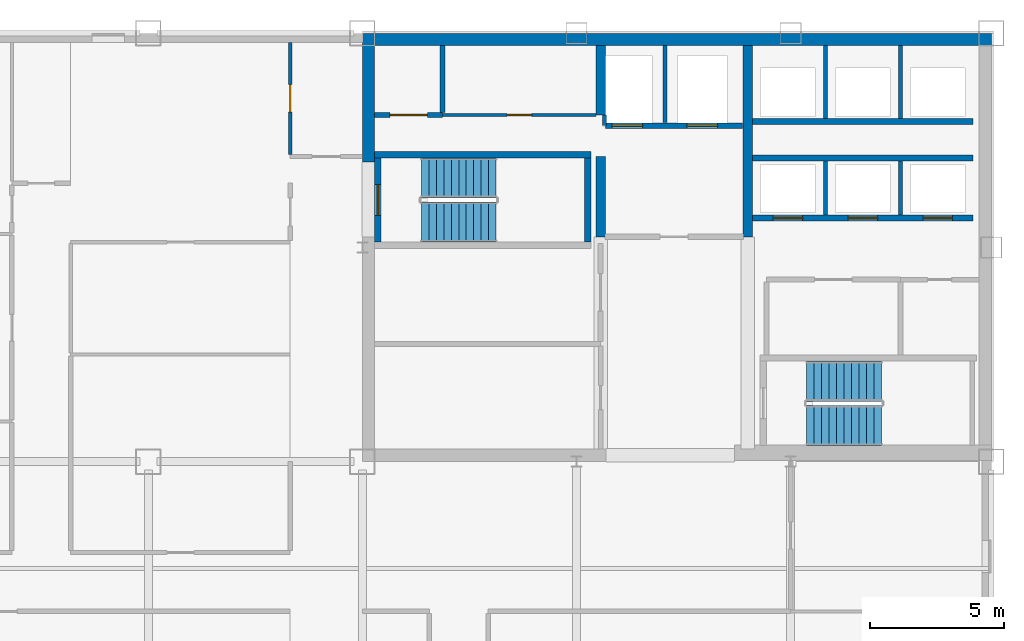
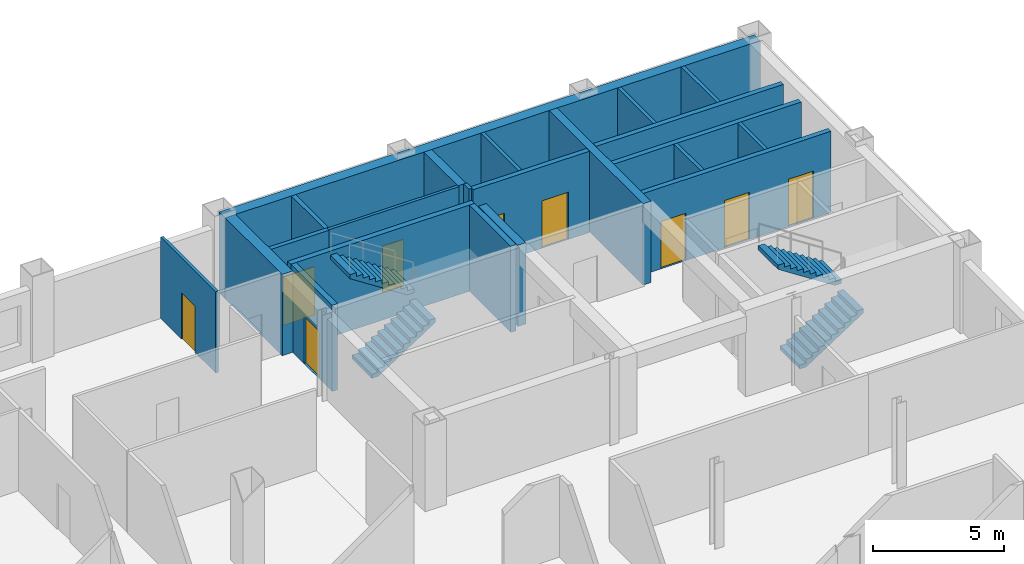
# One storey, part 6 of 10: 22 walls, 9 doors, 4 stair flights, 9 openings, 2 elements without a shape of their own.
"""IFC4 building model written with IfcOpenShell, lengths in metres."""

from ifc_helpers import new_model, si_unit, direction, frame, frame_2d, origin, place, context, subcontext, project, spatial, polyline, rectangle, outline, extrude, material, layer, layer_set, type_object, element, fill, aggregate, save


model = new_model("IFC4")

# Units and contexts
model_context = context("Model", 3, precision=1e-05, world=origin(), true_north=direction((0.0, 1.0)))
body_context = subcontext(model_context, "Body", "Model", "MODEL_VIEW")
ifc_project = project(units=[si_unit("LENGTHUNIT", "METRE"), si_unit("AREAUNIT", "SQUARE_METRE"), si_unit("VOLUMEUNIT", "CUBIC_METRE"), si_unit("PLANEANGLEUNIT", "RADIAN"), si_unit("MASSUNIT", "GRAM", prefix="KILO")], contexts=[model_context])

# Site, building, storey
site_placement = place(None, origin())
site = spatial("IfcSite", under=ifc_project, at=site_placement, CompositionType="ELEMENT")
building_placement = place(site_placement, origin())
building = spatial("IfcBuilding", under=site, at=building_placement, Name="Qianrong Seaharbour Tower", CompositionType="ELEMENT")
storey_placement = place(building_placement, frame((0.0, 0.0, 261.800048828125)))
storey = spatial("IfcBuildingStorey", under=building, at=storey_placement, Name="L63", CompositionType="ELEMENT", Elevation=261.800048828125)

# Walls
ifc_material_1 = material(Name="Concrete C60/75", Category="concrete")
ifc_layer_1 = layer(ifc_material_1, 0.4599609375)
ifc_layer_set_1 = layer_set([ifc_layer_1], Name="Concrete C60/75")
wall_type_1 = type_object("IfcWallType", Name="WALL-CORE-460", PredefinedType="SHEAR", material=ifc_layer_set_1)
wall_1_placement = place(storey_placement, frame((40.5, 51.77001953125, 0.0), z_axis=(0.0, 0.0, 1.0), x_axis=(1.0, 0.0, 0.0)))
element("IfcWall", 1, at=wall_1_placement, inside=storey, type_object=wall_type_1, Name="L63 North Core Shear Wall", PredefinedType="SHEAR", context=body_context, shape_type="SweptSolid", body=[
    extrude(rectangle(XDim=23.5, YDim=0.4599609375, at=frame_2d((11.75, 0.0))), origin(), (0.0, 0.0, 1.0), 3.77490234375),
])
wall_2_placement = place(storey_placement, frame((40.72998046875, 47.199951171875, 0.0), z_axis=(0.0, 0.0, 1.0), x_axis=(0.0, 1.0, 0.0)))
element("IfcWall", 2, at=wall_2_placement, inside=storey, type_object=wall_type_1, Name="L63 West Core Shear Wall North", PredefinedType="SHEAR", context=body_context, shape_type="SweptSolid", body=[
    extrude(rectangle(XDim=4.340087890625, YDim=0.4599609375, at=frame_2d((2.169921875, 0.0))), origin(), (0.0, 0.0, 1.0), 3.77490234375),
])
ifc_material_2 = material(Name="Concrete C50/60", Category="concrete")
ifc_layer_2 = layer(ifc_material_2, 0.35009765625)
ifc_layer_set_2 = layer_set([ifc_layer_2], Name="Concrete C50/60")
wall_type_2 = type_object("IfcWallType", Name="WALL-CORE-INT-350", PredefinedType="SHEAR", material=ifc_layer_set_2)
wall_3_placement = place(storey_placement, frame((49.39990234375, 44.39990234375, 0.0), z_axis=(0.0, 0.0, 1.0), x_axis=(0.0, 1.0, 0.0)))
element("IfcWall", 3, at=wall_3_placement, inside=storey, type_object=wall_type_2, Name="L63 Internal Core Shear Wall IW1N1", PredefinedType="SHEAR", context=body_context, shape_type="SweptSolid", body=[
    extrude(rectangle(XDim=3.0, YDim=0.35009765625, at=frame_2d((1.5, 0.0))), origin(), (0.0, 0.0, 1.0), 3.77490234375),
])
wall_4_placement = place(storey_placement, frame((49.39990234375, 48.949951171875, 0.0), z_axis=(0.0, 0.0, 1.0), x_axis=(0.0, 1.0, 0.0)))
element("IfcWall", 4, at=wall_4_placement, inside=storey, type_object=wall_type_2, Name="L63 Internal Core Shear Wall IW1N2", PredefinedType="SHEAR", context=body_context, shape_type="SweptSolid", body=[
    extrude(rectangle(XDim=2.590087890625, YDim=0.35009765625, at=frame_2d((1.294921875, 0.0))), origin(), (0.0, 0.0, 1.0), 3.77490234375),
])
wall_5_placement = place(storey_placement, frame((54.89990234375, 44.39990234375, 0.0), z_axis=(0.0, 0.0, 1.0), x_axis=(0.0, 1.0, 0.0)))
element("IfcWall", 5, at=wall_5_placement, inside=storey, type_object=wall_type_2, Name="L63 Internal Core Shear Wall IW2N", PredefinedType="SHEAR", context=body_context, shape_type="SweptSolid", body=[
    extrude(rectangle(XDim=7.14013671875, YDim=0.35009765625, at=frame_2d((3.570068359375, 0.0))), origin(), (0.0, 0.0, 1.0), 3.77490234375),
])

# Wall, opening, door
ifc_material_3 = material(Name="Double fire-rated gypsum board acoustic partition")
ifc_layer_3 = layer(ifc_material_3, 0.18994140625)
ifc_layer_set_3 = layer_set([ifc_layer_3], Name="Double fire-rated gypsum board acoustic partition")
wall_type_3 = type_object("IfcWallType", Name="WALL-FIRE-PART-190", PredefinedType="PARTITIONING", material=ifc_layer_set_3)
wall_6_placement = place(storey_placement, frame((40.9599609375, 48.949951171875, 0.0), z_axis=(0.0, 0.0, 1.0), x_axis=(1.0, 0.0, 0.0)))
wall_6 = element("IfcWall", 6, at=wall_6_placement, inside=storey, type_object=wall_type_3, Name="L63 Interior Partition Wall 004", PredefinedType="PARTITIONING", context=body_context, shape_type="SweptSolid", body=[
    extrude(rectangle(XDim=2.5400390625, YDim=0.18994140625, at=frame_2d((1.27001953125, 0.0))), origin(), (0.0, 0.0, 1.0), 3.77490234375),
])
opening_1_placement = place(wall_6_placement, frame((0.570068359375, 0.0, 0.0)))
opening_1 = element("IfcOpeningElement", 7, at=opening_1_placement, cuts=wall_6, Name="Opening DP-01", PredefinedType="OPENING", context=body_context, shape_type="SweptSolid", body=[
    extrude(rectangle(XDim=1.39990234375, YDim=2.25, at=frame_2d((0.699951171875, 1.125))), frame((0.0, 0.10498046875, 0.0), z_axis=(0.0, -1.0, 0.0), x_axis=(1.0, 0.0, 0.0)), (0.0, 0.0, 1.0), 0.2099609375),
])
ifc_material_4 = material(Name="Acoustic timber and galvanized steel fire door assembly", Category="steel")
door_type_1 = type_object("IfcDoorType", Name="DOOR-PLANT-PAIR-1400x2250", OperationType="DOUBLE_DOOR_SINGLE_SWING", PredefinedType="DOOR", material=ifc_material_4)
door_1_placement = place(opening_1_placement, origin())
door_1 = element("IfcDoor", 8, at=door_1_placement, inside=storey, type_object=door_type_1, Name="L63 Core Electrical Closet Door", OperationType="DOUBLE_DOOR_SINGLE_SWING", OverallHeight=2.25, OverallWidth=1.39990234375, PredefinedType="DOOR", context=body_context, shape_type="SweptSolid", body=[
    extrude(rectangle(XDim=1.39990234375, YDim=2.25, at=frame_2d((0.699951171875, 1.125))), frame((0.0, 0.02490234375, 0.0), z_axis=(0.0, -1.0, 0.0), x_axis=(1.0, 0.0, 0.0)), (0.0, 0.0, 1.0), 0.050048828125),
])
fill(opening_1, door_1)

# Walls
wall_7_placement = place(storey_placement, frame((43.5, 51.5400390625, 0.0), z_axis=(0.0, 0.0, 1.0), x_axis=(0.0, -1.0, 0.0)))
element("IfcWall", 9, at=wall_7_placement, inside=storey, type_object=wall_type_3, Name="L63 Interior Partition Wall 013", PredefinedType="PARTITIONING", context=body_context, shape_type="SweptSolid", body=[
    extrude(rectangle(XDim=2.5029296875, YDim=0.18994140625, at=frame_2d((1.25146484375, 0.0))), origin(), (0.0, 0.0, 1.0), 3.77490234375),
])
ifc_material_5 = material(Name="Fire-rated gypsum board on steel studs", Category="steel")
ifc_layer_4 = layer(ifc_material_5, 0.14990234375)
ifc_layer_set_4 = layer_set([ifc_layer_4], Name="Fire-rated gypsum board on steel studs")
wall_type_4 = type_object("IfcWallType", Name="WALL-SHAFT-DIV-150", PredefinedType="PARTITIONING", material=ifc_layer_set_4)
wall_8_placement = place(storey_placement, frame((51.800048828125, 48.669921875, 0.0), z_axis=(0.0, 0.0, 1.0), x_axis=(0.0, 1.0, 0.0)))
element("IfcWall", 10, at=wall_8_placement, inside=storey, type_object=wall_type_4, Name="L63 Firefighting Lift Shaft Divider Wall", PredefinedType="PARTITIONING", context=body_context, shape_type="SweptSolid", body=[
    extrude(rectangle(XDim=2.8701171875, YDim=0.14990234375, at=frame_2d((1.43505859375, 0.0))), origin(), (0.0, 0.0, 1.0), 3.77490234375),
])
wall_9_placement = place(storey_placement, frame((49.550048828125, 48.550048828125, 0.0), z_axis=(0.0, 0.0, 1.0), x_axis=(0.0, 1.0, 0.0)))
element("IfcWall", 11, at=wall_9_placement, inside=storey, type_object=wall_type_4, Name="L63 Firefighting Lift Shaft West Return Wall", PredefinedType="PARTITIONING", context=body_context, shape_type="SweptSolid", body=[
    extrude(rectangle(XDim=0.39990234375, YDim=0.14990234375, at=frame_2d((0.199951171875, 0.0))), origin(), (0.0, 0.0, 1.0), 3.77490234375),
])
for number, where, z_axis, x_axis, name in (
    (12, (57.800048828125, 45.2099609375, 0.0), (0.0, 0.0, 1.0), (0.0, 1.0, 0.0), "L63 P3 Lift Hoistway Divider 2"),
    (13, (60.60009765625, 45.2099609375, 0.0), (0.0, 0.0, 1.0), (0.0, 1.0, 0.0), "L63 P3 Lift Hoistway Divider 3"),
):
    element("IfcWall", number, at=place(storey_placement, frame(where, z_axis=z_axis, x_axis=x_axis)), inside=storey, type_object=wall_type_4, Name=name, PredefinedType="PARTITIONING", context=body_context, shape_type="SweptSolid", body=[
        extrude(rectangle(XDim=2.030029296875, YDim=0.14990234375, at=frame_2d((1.01513671875, 0.0))), origin(), (0.0, 0.0, 1.0), 3.77490234375),
    ])
for number, where, z_axis, x_axis, name in (
    (14, (57.800048828125, 48.81005859375, 0.0), (0.0, 0.0, 1.0), (0.0, 1.0, 0.0), "L63 P4 Lift Hoistway Divider 2"),
    (15, (60.60009765625, 48.81005859375, 0.0), (0.0, 0.0, 1.0), (0.0, 1.0, 0.0), "L63 P4 Lift Hoistway Divider 3"),
):
    element("IfcWall", number, at=place(storey_placement, frame(where, z_axis=z_axis, x_axis=x_axis)), inside=storey, type_object=wall_type_4, Name=name, PredefinedType="PARTITIONING", context=body_context, shape_type="SweptSolid", body=[
        extrude(rectangle(XDim=2.72998046875, YDim=0.14990234375, at=frame_2d((1.364990234375, 0.0))), origin(), (0.0, 0.0, 1.0), 3.77490234375),
    ])

# Wall, openings, doors
ifc_layer_5 = layer(ifc_material_5, 0.219970703125)
ifc_layer_set_5 = layer_set([ifc_layer_5], Name="Fire-rated gypsum board on steel studs")
wall_type_5 = type_object("IfcWallType", Name="WALL-SHAFT-GYP220", PredefinedType="PARTITIONING", material=ifc_layer_set_5)
wall_10_placement = place(storey_placement, frame((54.7099609375, 48.550048828125, 0.0), z_axis=(0.0, 0.0, 1.0), x_axis=(-1.0, 0.0, 0.0)))
wall_10 = element("IfcWall", 16, at=wall_10_placement, inside=storey, type_object=wall_type_5, Name="L63 Firefighting Lift Shaft Front Wall", PredefinedType="PARTITIONING", context=body_context, shape_type="SweptSolid", body=[
    extrude(rectangle(XDim=5.119873046875, YDim=0.219970703125, at=frame_2d((2.56005859375, 0.0))), origin(), (0.0, 0.0, 1.0), 3.77490234375),
])
opening_2_placement = place(wall_10_placement, frame((3.735107421875, 0.0, 0.0)))
opening_2 = element("IfcOpeningElement", 17, at=opening_2_placement, cuts=wall_10, Name="Opening LD-01", PredefinedType="OPENING", context=body_context, shape_type="SweptSolid", body=[
    extrude(rectangle(XDim=1.14990234375, YDim=2.199951171875, at=frame_2d((0.574951171875, 1.10009765625))), frame((0.0, 0.1201171875, 0.0), z_axis=(0.0, -1.0, 0.0), x_axis=(1.0, 0.0, 0.0)), (0.0, 0.0, 1.0), 0.239990234375),
])
opening_3_placement = place(wall_10_placement, frame((0.93505859375, 0.0, 0.0)))
opening_3 = element("IfcOpeningElement", 18, at=opening_3_placement, cuts=wall_10, Name="Opening LD-01", PredefinedType="OPENING", context=body_context, shape_type="SweptSolid", body=[
    extrude(rectangle(XDim=1.14990234375, YDim=2.199951171875, at=frame_2d((0.574951171875, 1.10009765625))), frame((0.0, 0.1201171875, 0.0), z_axis=(0.0, -1.0, 0.0), x_axis=(1.0, 0.0, 0.0)), (0.0, 0.0, 1.0), 0.239990234375),
])
ifc_material_6 = material(Name="Stainless steel SUS316L bi-parting lift landing door", Category="steel")
door_type_2 = type_object("IfcDoorType", Name="DOOR-LIFT-FF-1150x2200", OperationType="DOUBLE_DOOR_SLIDING", PredefinedType="DOOR", material=ifc_material_6)
door_2_placement = place(opening_2_placement, origin())
door_2 = element("IfcDoor", 19, at=door_2_placement, inside=storey, type_object=door_type_2, Name="L63 FL-1 Firefighting Lift Landing Door", OperationType="DOUBLE_DOOR_SLIDING", OverallHeight=2.199951171875, OverallWidth=1.14990234375, PredefinedType="DOOR", context=body_context, shape_type="SweptSolid", body=[
    extrude(rectangle(XDim=1.14990234375, YDim=2.199951171875, at=frame_2d((0.574951171875, 1.10009765625))), frame((0.0, 0.02490234375, 0.0), z_axis=(0.0, -1.0, 0.0), x_axis=(1.0, 0.0, 0.0)), (0.0, 0.0, 1.0), 0.050048828125),
])
fill(opening_2, door_2)
door_3_placement = place(opening_3_placement, origin())
door_3 = element("IfcDoor", 20, at=door_3_placement, inside=storey, type_object=door_type_2, Name="L63 FL-2 Firefighting Lift Landing Door", OperationType="DOUBLE_DOOR_SLIDING", OverallHeight=2.199951171875, OverallWidth=1.14990234375, PredefinedType="DOOR", context=body_context, shape_type="SweptSolid", body=[
    extrude(rectangle(XDim=1.14990234375, YDim=2.199951171875, at=frame_2d((0.574951171875, 1.10009765625))), frame((0.0, 0.02490234375, 0.0), z_axis=(0.0, -1.0, 0.0), x_axis=(1.0, 0.0, 0.0)), (0.0, 0.0, 1.0), 0.050048828125),
])
fill(opening_3, door_3)

wall_11_placement = place(storey_placement, frame((63.320068359375, 45.10009765625, 0.0), z_axis=(0.0, 0.0, 1.0), x_axis=(-1.0, 0.0, 0.0)))
wall_11 = element("IfcWall", 21, at=wall_11_placement, inside=storey, type_object=wall_type_5, Name="L63 P3 Lift Hoistway Front Wall", PredefinedType="PARTITIONING", context=body_context, shape_type="SweptSolid", body=[
    extrude(rectangle(XDim=8.239990234375, YDim=0.219970703125, at=frame_2d((4.1201171875, 0.0))), origin(), (0.0, 0.0, 1.0), 3.77490234375),
])
opening_4_placement = place(wall_11_placement, frame((6.3701171875, 0.0, 0.0)))
opening_4 = element("IfcOpeningElement", 22, at=opening_4_placement, cuts=wall_11, Name="Opening LD-02", PredefinedType="OPENING", context=body_context, shape_type="SweptSolid", body=[
    extrude(rectangle(XDim=1.10009765625, YDim=2.199951171875, at=frame_2d((0.550048828125, 1.10009765625))), frame((0.0, 0.1201171875, 0.0), z_axis=(0.0, -1.0, 0.0), x_axis=(1.0, 0.0, 0.0)), (0.0, 0.0, 1.0), 0.239990234375),
])
opening_5_placement = place(wall_11_placement, frame((3.570068359375, 0.0, 0.0)))
opening_5 = element("IfcOpeningElement", 23, at=opening_5_placement, cuts=wall_11, Name="Opening LD-02", PredefinedType="OPENING", context=body_context, shape_type="SweptSolid", body=[
    extrude(rectangle(XDim=1.10009765625, YDim=2.199951171875, at=frame_2d((0.550048828125, 1.10009765625))), frame((0.0, 0.1201171875, 0.0), z_axis=(0.0, -1.0, 0.0), x_axis=(1.0, 0.0, 0.0)), (0.0, 0.0, 1.0), 0.239990234375),
])
opening_6_placement = place(wall_11_placement, frame((0.77001953125, 0.0, 0.0)))
opening_6 = element("IfcOpeningElement", 24, at=opening_6_placement, cuts=wall_11, Name="Opening LD-02", PredefinedType="OPENING", context=body_context, shape_type="SweptSolid", body=[
    extrude(rectangle(XDim=1.10009765625, YDim=2.199951171875, at=frame_2d((0.550048828125, 1.10009765625))), frame((0.0, 0.1201171875, 0.0), z_axis=(0.0, -1.0, 0.0), x_axis=(1.0, 0.0, 0.0)), (0.0, 0.0, 1.0), 0.239990234375),
])
door_type_3 = type_object("IfcDoorType", Name="DOOR-LIFT-PASS-1100x2200", OperationType="DOUBLE_DOOR_SLIDING", PredefinedType="DOOR", material=ifc_material_6)
door_4_placement = place(opening_4_placement, origin())
door_4 = element("IfcDoor", 25, at=door_4_placement, inside=storey, type_object=door_type_3, Name="L63 PL-3A Lift Landing Door", OperationType="DOUBLE_DOOR_SLIDING", OverallHeight=2.199951171875, OverallWidth=1.10009765625, PredefinedType="DOOR", context=body_context, shape_type="SweptSolid", body=[
    extrude(rectangle(XDim=1.10009765625, YDim=2.199951171875, at=frame_2d((0.550048828125, 1.10009765625))), frame((0.0, 0.02490234375, 0.0), z_axis=(0.0, -1.0, 0.0), x_axis=(1.0, 0.0, 0.0)), (0.0, 0.0, 1.0), 0.050048828125),
])
fill(opening_4, door_4)
door_5_placement = place(opening_5_placement, origin())
door_5 = element("IfcDoor", 26, at=door_5_placement, inside=storey, type_object=door_type_3, Name="L63 PL-3B Lift Landing Door", OperationType="DOUBLE_DOOR_SLIDING", OverallHeight=2.199951171875, OverallWidth=1.10009765625, PredefinedType="DOOR", context=body_context, shape_type="SweptSolid", body=[
    extrude(rectangle(XDim=1.10009765625, YDim=2.199951171875, at=frame_2d((0.550048828125, 1.10009765625))), frame((0.0, 0.02490234375, 0.0), z_axis=(0.0, -1.0, 0.0), x_axis=(1.0, 0.0, 0.0)), (0.0, 0.0, 1.0), 0.050048828125),
])
fill(opening_5, door_5)
door_6_placement = place(opening_6_placement, origin())
door_6 = element("IfcDoor", 27, at=door_6_placement, inside=storey, type_object=door_type_3, Name="L63 PL-3C Lift Landing Door", OperationType="DOUBLE_DOOR_SLIDING", OverallHeight=2.199951171875, OverallWidth=1.10009765625, PredefinedType="DOOR", context=body_context, shape_type="SweptSolid", body=[
    extrude(rectangle(XDim=1.10009765625, YDim=2.199951171875, at=frame_2d((0.550048828125, 1.10009765625))), frame((0.0, 0.02490234375, 0.0), z_axis=(0.0, -1.0, 0.0), x_axis=(1.0, 0.0, 0.0)), (0.0, 0.0, 1.0), 0.050048828125),
])
fill(opening_6, door_6)

# Walls
for number, where, z_axis, x_axis, name in (
    (28, (55.080078125, 47.35009765625, 0.0), (0.0, 0.0, 1.0), (1.0, 0.0, 0.0), "L63 P3 Lift Hoistway Back Wall"),
    (29, (63.320068359375, 48.699951171875, 0.0), (0.0, 0.0, 1.0), (-1.0, 0.0, 0.0), "L63 P4 Lift Hoistway Front Wall"),
):
    element("IfcWall", number, at=place(storey_placement, frame(where, z_axis=z_axis, x_axis=x_axis)), inside=storey, type_object=wall_type_5, Name=name, PredefinedType="PARTITIONING", context=body_context, shape_type="SweptSolid", body=[
        extrude(rectangle(XDim=8.239990234375, YDim=0.219970703125, at=frame_2d((4.1201171875, 0.0))), origin(), (0.0, 0.0, 1.0), 3.77490234375),
    ])
ifc_layer_6 = layer(ifc_material_2, 0.239990234375)
ifc_layer_set_6 = layer_set([ifc_layer_6], Name="Concrete C50/60")
wall_type_6 = type_object("IfcWallType", Name="WALL-SHAFT-RC240", PredefinedType="SOLIDWALL", material=ifc_layer_set_6)
wall_12_placement = place(storey_placement, frame((40.9599609375, 47.469970703125, 0.0), z_axis=(0.0, 0.0, 1.0), x_axis=(1.0, 0.0, 0.0)))
element("IfcWall", 30, at=wall_12_placement, inside=storey, type_object=wall_type_6, Name="L63 ST-1 Structural Stair Core Wall N", PredefinedType="SOLIDWALL", context=body_context, shape_type="SweptSolid", body=[
    extrude(rectangle(XDim=8.080078125, YDim=0.239990234375, at=frame_2d((4.0400390625, 0.0))), origin(), (0.0, 0.0, 1.0), 4.0),
])

# Wall, opening, door
wall_13_placement = place(storey_placement, frame((41.080078125, 47.35009765625, 0.0), z_axis=(0.0, 0.0, 1.0), x_axis=(0.0, -1.0, 0.0)))
wall_13 = element("IfcWall", 31, at=wall_13_placement, inside=storey, type_object=wall_type_6, Name="L63 ST-1 Structural Stair Core Wall W", PredefinedType="SOLIDWALL", context=body_context, shape_type="SweptSolid", body=[
    extrude(rectangle(XDim=3.150146484375, YDim=0.239990234375, at=frame_2d((1.5751953125, 0.0))), origin(), (0.0, 0.0, 1.0), 4.0),
])
opening_7_placement = place(wall_13_placement, frame((1.0, 0.0, 0.0)))
opening_7 = element("IfcOpeningElement", 32, at=opening_7_placement, cuts=wall_13, Name="Opening SD-01", PredefinedType="OPENING", context=body_context, shape_type="SweptSolid", body=[
    extrude(rectangle(XDim=1.14990234375, YDim=2.199951171875, at=frame_2d((0.574951171875, 1.10009765625))), frame((0.0, 0.1298828125, 0.0), z_axis=(0.0, -1.0, 0.0), x_axis=(1.0, 0.0, 0.0)), (0.0, 0.0, 1.0), 0.260009765625),
])
door_type_4 = type_object("IfcDoorType", Name="DOOR-STAIR-FD60-1150x2200", OperationType="NOTDEFINED", PredefinedType="DOOR", material=ifc_material_4)
door_7_placement = place(opening_7_placement, origin())
door_7 = element("IfcDoor", 33, at=door_7_placement, inside=storey, type_object=door_type_4, Name="L63 ST-1 Protected Stair Door", OperationType="SINGLE_SWING_RIGHT", OverallHeight=2.199951171875, OverallWidth=1.14990234375, PredefinedType="DOOR", context=body_context, shape_type="SweptSolid", body=[
    extrude(rectangle(XDim=1.14990234375, YDim=2.199951171875, at=frame_2d((0.574951171875, 1.10009765625))), frame((0.0, 0.02490234375, 0.0), z_axis=(0.0, -1.0, 0.0), x_axis=(1.0, 0.0, 0.0)), (0.0, 0.0, 1.0), 0.050048828125),
])
fill(opening_7, door_7)

# Wall
wall_14_placement = place(storey_placement, frame((48.919921875, 44.199951171875, 0.0), z_axis=(0.0, 0.0, 1.0), x_axis=(0.0, 1.0, 0.0)))
element("IfcWall", 34, at=wall_14_placement, inside=storey, type_object=wall_type_6, Name="L63 ST-1 Structural Stair Core Wall E", PredefinedType="SOLIDWALL", context=body_context, shape_type="SweptSolid", body=[
    extrude(rectangle(XDim=3.150146484375, YDim=0.239990234375, at=frame_2d((1.5751953125, 0.0))), origin(), (0.0, 0.0, 1.0), 4.0),
])

# Wall, opening, door
ifc_material_7 = material(Name="Water-resistant cement board sanitary partition")
ifc_layer_7 = layer(ifc_material_7, 0.1298828125)
ifc_layer_set_7 = layer_set([ifc_layer_7], Name="Water-resistant cement board sanitary partition")
wall_type_7 = type_object("IfcWallType", Name="WALL-WET-PART-130", PredefinedType="PARTITIONING", material=ifc_layer_set_7)
wall_15_placement = place(storey_placement, frame((37.800048828125, 47.474609375, 0.0), z_axis=(0.0, 0.0, 1.0), x_axis=(0.0, 1.0, 0.0)))
wall_15 = element("IfcWall", 35, at=wall_15_placement, inside=storey, type_object=wall_type_7, Name="L63 Interior Partition Wall 003", PredefinedType="PARTITIONING", context=body_context, shape_type="SweptSolid", body=[
    extrude(rectangle(XDim=4.193359375, YDim=0.1298828125, at=frame_2d((2.0966796875, 0.0))), origin(), (0.0, 0.0, 1.0), 3.77490234375),
])
opening_8_placement = place(wall_15_placement, frame((1.5869140625, 0.0, 0.0)))
opening_8 = element("IfcOpeningElement", 36, at=opening_8_placement, cuts=wall_15, Name="Opening DAW-01", PredefinedType="OPENING", context=body_context, shape_type="SweptSolid", body=[
    extrude(rectangle(XDim=1.02001953125, YDim=2.14990234375, at=frame_2d((0.510009765625, 1.074951171875))), frame((0.0, 0.074951171875, 0.0), z_axis=(0.0, -1.0, 0.0), x_axis=(1.0, 0.0, 0.0)), (0.0, 0.0, 1.0), 0.14990234375),
])
door_type_5 = type_object("IfcDoorType", Name="DOOR-AWC-SLIDE-1020x2150", OperationType="SLIDING_TO_LEFT", PredefinedType="DOOR", material=ifc_material_4)
door_8_placement = place(opening_8_placement, origin())
door_8 = element("IfcDoor", 37, at=door_8_placement, inside=storey, type_object=door_type_5, Name="L63 Accessible Restroom WC Door", OperationType="SLIDING_TO_LEFT", OverallHeight=2.14990234375, OverallWidth=1.02001953125, PredefinedType="DOOR", context=body_context, shape_type="SweptSolid", body=[
    extrude(rectangle(XDim=1.02001953125, YDim=2.14990234375, at=frame_2d((0.510009765625, 1.074951171875))), frame((0.0, 0.02490234375, 0.0), z_axis=(0.0, -1.0, 0.0), x_axis=(1.0, 0.0, 0.0)), (0.0, 0.0, 1.0), 0.050048828125),
])
fill(opening_8, door_8)

wall_16_placement = place(storey_placement, frame((43.5, 48.949951171875, 0.0), z_axis=(0.0, 0.0, 1.0), x_axis=(1.0, 0.0, 0.0)))
wall_16 = element("IfcWall", 38, at=wall_16_placement, inside=storey, type_object=wall_type_7, Name="L63 Interior Partition Wall 005", PredefinedType="PARTITIONING", context=body_context, shape_type="SweptSolid", body=[
    extrude(rectangle(XDim=5.73291015625, YDim=0.1298828125, at=frame_2d((2.866455078125, 0.0))), origin(), (0.0, 0.0, 1.0), 3.77490234375),
])
opening_9_placement = place(wall_16_placement, frame((2.406494140625, 0.0, 0.0)))
opening_9 = element("IfcOpeningElement", 39, at=opening_9_placement, cuts=wall_16, Name="Opening DW-01", PredefinedType="OPENING", context=body_context, shape_type="SweptSolid", body=[
    extrude(rectangle(XDim=0.919921875, YDim=2.14990234375, at=frame_2d((0.4599609375, 1.074951171875))), frame((0.0, 0.074951171875, 0.0), z_axis=(0.0, -1.0, 0.0), x_axis=(1.0, 0.0, 0.0)), (0.0, 0.0, 1.0), 0.14990234375),
])
door_type_6 = type_object("IfcDoorType", Name="DOOR-WC-920x2150", OperationType="NOTDEFINED", PredefinedType="DOOR", material=ifc_material_4)
door_9_placement = place(opening_9_placement, origin())
door_9 = element("IfcDoor", 40, at=door_9_placement, inside=storey, type_object=door_type_6, Name="L63 Staff Restroom WC Door", OperationType="SINGLE_SWING_RIGHT", OverallHeight=2.14990234375, OverallWidth=0.919921875, PredefinedType="DOOR", context=body_context, shape_type="SweptSolid", body=[
    extrude(rectangle(XDim=0.919921875, YDim=2.14990234375, at=frame_2d((0.4599609375, 1.074951171875))), frame((0.0, 0.02490234375, 0.0), z_axis=(0.0, -1.0, 0.0), x_axis=(1.0, 0.0, 0.0)), (0.0, 0.0, 1.0), 0.050048828125),
])
fill(opening_9, door_9)

# Stair, stair flights
stair_type = type_object("IfcStairType", Name="STAIR-DOGLEG-1500-R22", PredefinedType="HALF_TURN_STAIR", material=ifc_material_2)
stair_1_placement = place(storey_placement, origin())
stair_1 = element("IfcStair", 41, at=stair_1_placement, inside=storey, type_object=stair_type, Name="L63 Protected Escape Stair ST-1", PredefinedType="HALF_TURN_STAIR")
stair_flight_type = type_object("IfcStairFlightType", Name="FLIGHT-STR-1500-R22", PredefinedType="STRAIGHT", material=ifc_material_2)
stair_flight_1_placement = place(storey_placement, frame((42.699951171875, 44.949951171875, 0.0), z_axis=(0.0, 0.0, 1.0), x_axis=(1.0, 0.0, 0.0)))
stair_flight_1 = element("IfcStairFlight", 42, at=stair_flight_1_placement, type_object=stair_flight_type, Name="ST-1 flight 1", NumberOfRisers=11, NumberOfTreads=10, PredefinedType="STRAIGHT", RiserHeight=0.181818182, TreadLength=0.28, context=body_context, shape_type="SweptSolid", body=[
    extrude(outline(polyline([(0.0, 0.0), (0.0, 0.181884765625), (0.280029296875, 0.181884765625), (0.280029296875, 0.363525390625), (0.56005859375, 0.363525390625), (0.56005859375, 0.54541015625), (0.840087890625, 0.54541015625), (0.840087890625, 0.727294921875), (1.1201171875, 0.727294921875), (1.1201171875, 0.9091796875), (1.39990234375, 0.9091796875), (1.39990234375, 1.0908203125), (1.679931640625, 1.0908203125), (1.679931640625, 1.272705078125), (1.9599609375, 1.272705078125), (1.9599609375, 1.45458984375), (2.239990234375, 1.45458984375), (2.239990234375, 1.636474609375), (2.52001953125, 1.636474609375), (2.52001953125, 1.818115234375), (2.800048828125, 1.818115234375), (2.800048828125, 2.0), (2.800048828125, 1.62744140625), (0.293701171875, 0.0), (0.0, 0.0)])), frame((0.0, 0.75, 0.0), z_axis=(0.0, -1.0, 0.0), x_axis=(1.0, 0.0, 0.0)), (0.0, 0.0, 1.0), 1.5),
])
stair_flight_2_placement = place(storey_placement, frame((45.5, 46.60009765625, 2.0), z_axis=(0.0, 0.0, 1.0), x_axis=(-1.0, 0.0, 0.0)))
stair_flight_2 = element("IfcStairFlight", 43, at=stair_flight_2_placement, type_object=stair_flight_type, Name="ST-1 flight 2", NumberOfRisers=11, NumberOfTreads=10, PredefinedType="STRAIGHT", RiserHeight=0.181818182, TreadLength=0.28, context=body_context, shape_type="SweptSolid", body=[
    extrude(outline(polyline([(0.0, 0.0), (0.0, 0.181884765625), (0.280029296875, 0.181884765625), (0.280029296875, 0.363525390625), (0.56005859375, 0.363525390625), (0.56005859375, 0.54541015625), (0.840087890625, 0.54541015625), (0.840087890625, 0.727294921875), (1.1201171875, 0.727294921875), (1.1201171875, 0.9091796875), (1.39990234375, 0.9091796875), (1.39990234375, 1.0908203125), (1.679931640625, 1.0908203125), (1.679931640625, 1.272705078125), (1.9599609375, 1.272705078125), (1.9599609375, 1.45458984375), (2.239990234375, 1.45458984375), (2.239990234375, 1.636474609375), (2.52001953125, 1.636474609375), (2.52001953125, 1.818115234375), (2.800048828125, 1.818115234375), (2.800048828125, 2.0), (2.800048828125, 1.62744140625), (0.293701171875, 0.0), (0.0, 0.0)])), frame((0.0, 0.75, 0.0), z_axis=(0.0, -1.0, 0.0), x_axis=(1.0, 0.0, 0.0)), (0.0, 0.0, 1.0), 1.5),
])
aggregate(stair_1, [stair_flight_1, stair_flight_2])

stair_2_placement = place(storey_placement, origin())
stair_2 = element("IfcStair", 44, at=stair_2_placement, inside=storey, type_object=stair_type, Name="L63 Protected Escape Stair ST-2", PredefinedType="HALF_TURN_STAIR")
stair_flight_3_placement = place(storey_placement, frame((57.10009765625, 37.35009765625, 0.0), z_axis=(0.0, 0.0, 1.0), x_axis=(1.0, 0.0, 0.0)))
stair_flight_3 = element("IfcStairFlight", 45, at=stair_flight_3_placement, type_object=stair_flight_type, Name="ST-2 flight 1", NumberOfRisers=11, NumberOfTreads=10, PredefinedType="STRAIGHT", RiserHeight=0.181818182, TreadLength=0.28, context=body_context, shape_type="SweptSolid", body=[
    extrude(outline(polyline([(0.0, 0.0), (0.0, 0.181884765625), (0.280029296875, 0.181884765625), (0.280029296875, 0.363525390625), (0.56005859375, 0.363525390625), (0.56005859375, 0.54541015625), (0.840087890625, 0.54541015625), (0.840087890625, 0.727294921875), (1.1201171875, 0.727294921875), (1.1201171875, 0.9091796875), (1.39990234375, 0.9091796875), (1.39990234375, 1.0908203125), (1.679931640625, 1.0908203125), (1.679931640625, 1.272705078125), (1.9599609375, 1.272705078125), (1.9599609375, 1.45458984375), (2.239990234375, 1.45458984375), (2.239990234375, 1.636474609375), (2.52001953125, 1.636474609375), (2.52001953125, 1.818115234375), (2.800048828125, 1.818115234375), (2.800048828125, 2.0), (2.800048828125, 1.62744140625), (0.293701171875, 0.0), (0.0, 0.0)])), frame((0.0, 0.75, 0.0), z_axis=(0.0, -1.0, 0.0), x_axis=(1.0, 0.0, 0.0)), (0.0, 0.0, 1.0), 1.5),
])
stair_flight_4_placement = place(storey_placement, frame((59.89990234375, 39.0, 2.0), z_axis=(0.0, 0.0, 1.0), x_axis=(-1.0, 0.0, 0.0)))
stair_flight_4 = element("IfcStairFlight", 46, at=stair_flight_4_placement, type_object=stair_flight_type, Name="ST-2 flight 2", NumberOfRisers=11, NumberOfTreads=10, PredefinedType="STRAIGHT", RiserHeight=0.181818182, TreadLength=0.28, context=body_context, shape_type="SweptSolid", body=[
    extrude(outline(polyline([(0.0, 0.0), (0.0, 0.181884765625), (0.280029296875, 0.181884765625), (0.280029296875, 0.363525390625), (0.56005859375, 0.363525390625), (0.56005859375, 0.54541015625), (0.840087890625, 0.54541015625), (0.840087890625, 0.727294921875), (1.1201171875, 0.727294921875), (1.1201171875, 0.9091796875), (1.39990234375, 0.9091796875), (1.39990234375, 1.0908203125), (1.679931640625, 1.0908203125), (1.679931640625, 1.272705078125), (1.9599609375, 1.272705078125), (1.9599609375, 1.45458984375), (2.239990234375, 1.45458984375), (2.239990234375, 1.636474609375), (2.52001953125, 1.636474609375), (2.52001953125, 1.818115234375), (2.800048828125, 1.818115234375), (2.800048828125, 2.0), (2.800048828125, 1.62744140625), (0.293701171875, 0.0), (0.0, 0.0)])), frame((0.0, 0.75, 0.0), z_axis=(0.0, -1.0, 0.0), x_axis=(1.0, 0.0, 0.0)), (0.0, 0.0, 1.0), 1.5),
])
aggregate(stair_2, [stair_flight_3, stair_flight_4])

save(model, "model.ifc")
